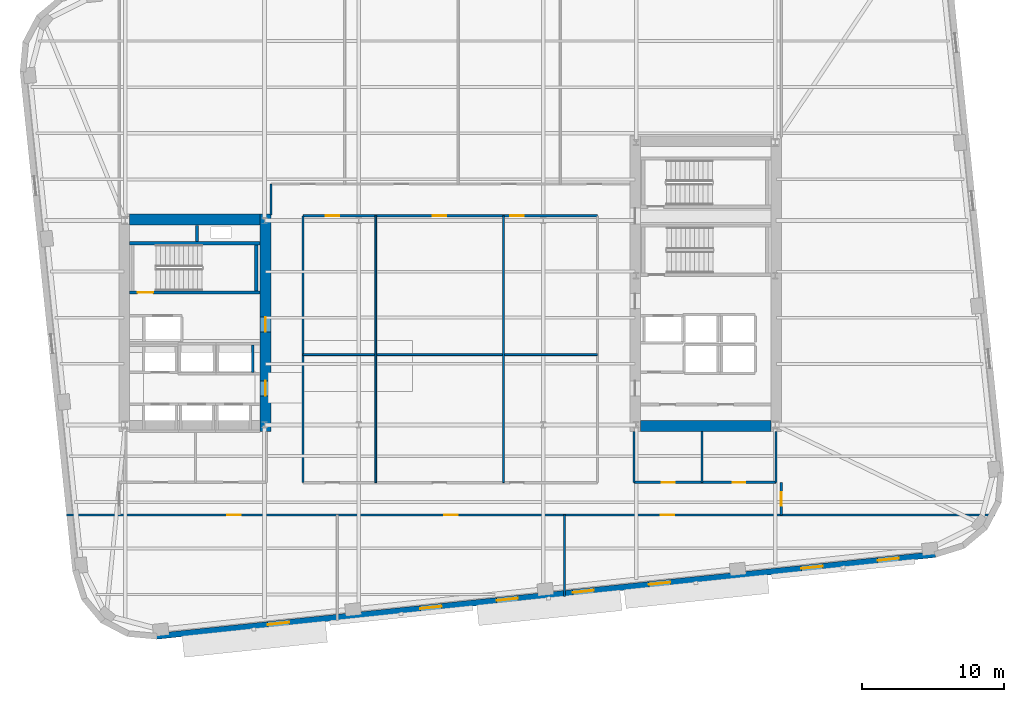
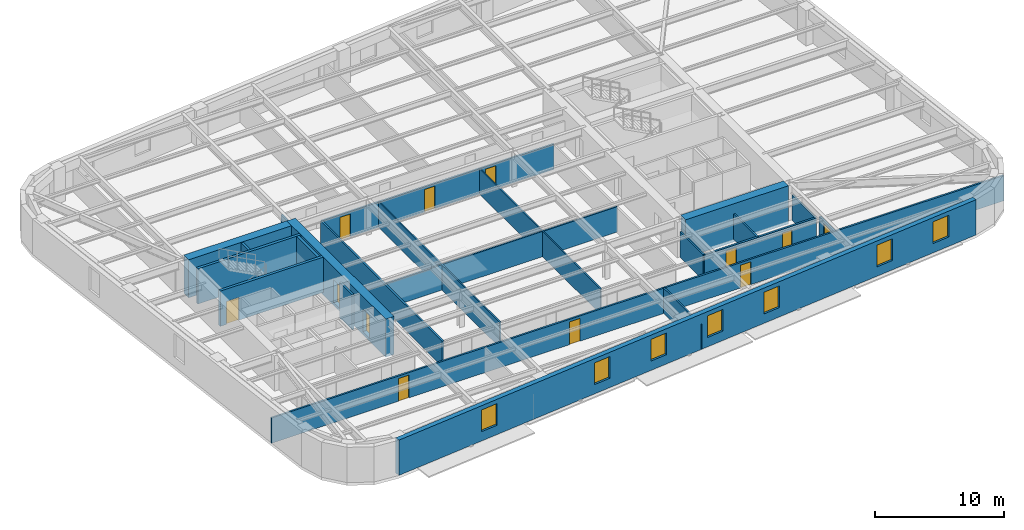
# One storey, part 5 of 12: 22 walls, 12 doors, 7 windows, 19 openings.
"""IFC4 building model written with IfcOpenShell, lengths in metres."""

from ifc_helpers import new_model, si_unit, direction, frame, frame_2d, origin, place, context, subcontext, project, spatial, rectangle, extrude, material, layer, layer_set, type_object, element, fill, save


model = new_model("IFC4")

# Units and contexts
model_context = context("Model", 3, precision=1e-05, world=origin(), true_north=direction((0.0, 1.0)))
body_context = subcontext(model_context, "Body", "Model", "MODEL_VIEW")
ifc_project = project(units=[si_unit("LENGTHUNIT", "METRE"), si_unit("AREAUNIT", "SQUARE_METRE"), si_unit("VOLUMEUNIT", "CUBIC_METRE"), si_unit("PLANEANGLEUNIT", "RADIAN"), si_unit("MASSUNIT", "GRAM", prefix="KILO")], contexts=[model_context])

# Site, building, storey
site_placement = place(None, origin())
site = spatial("IfcSite", under=ifc_project, at=site_placement, CompositionType="ELEMENT")
building_placement = place(site_placement, origin())
building = spatial("IfcBuilding", under=site, at=building_placement, Name="Kolvaren Arena Tower", CompositionType="ELEMENT")
storey_placement = place(building_placement, frame((0.0, 0.0, 149.5)))
storey = spatial("IfcBuildingStorey", under=building, at=storey_placement, Name="L35", CompositionType="ELEMENT", Elevation=149.5)

# Wall, openings, doors
ifc_material_1 = material(Name="Gypsum board acoustic assembly", Category="gypsum")
ifc_layer_1 = layer(ifc_material_1, 0.159912109375)
ifc_layer_set_1 = layer_set([ifc_layer_1], Name="Gypsum board acoustic assembly")
wall_type_1 = type_object("IfcWallType", Name="CORR-160", PredefinedType="PARTITIONING", material=ifc_layer_set_1)
wall_1_placement = place(storey_placement, frame((10.41552734375, 13.10009765625, 0.0), z_axis=(0.0, 0.0, 1.0), x_axis=(1.0, 0.0, 0.0)))
wall_1 = element("IfcWall", 1, at=wall_1_placement, inside=storey, type_object=wall_type_1, Name="Interior Partition Wall (L35)", PredefinedType="PARTITIONING", context=body_context, shape_type="SweptSolid", body=[
    extrude(rectangle(XDim=65.414794921875, YDim=0.159912109375, at=frame_2d((32.70751953125, 0.0))), origin(), (0.0, 0.0, 1.0), 2.389892578125),
])
opening_1_placement = place(wall_1_placement, frame((11.3095703125, 0.0, 0.0)))
opening_1 = element("IfcOpeningElement", 2, at=opening_1_placement, cuts=wall_1, Name="Opening D05", PredefinedType="OPENING", context=body_context, shape_type="SweptSolid", body=[
    extrude(rectangle(XDim=0.949951171875, YDim=2.14990234375, at=frame_2d((0.47509765625, 1.074951171875))), frame((0.0, 0.08984375, 0.0), z_axis=(0.0, -1.0, 0.0), x_axis=(1.0, 0.0, 0.0)), (0.0, 0.0, 1.0), 0.179931640625),
])
opening_2_placement = place(wall_1_placement, frame((26.609619140625, 0.0, 0.0)))
opening_2 = element("IfcOpeningElement", 3, at=opening_2_placement, cuts=wall_1, Name="Opening D05", PredefinedType="OPENING", context=body_context, shape_type="SweptSolid", body=[
    extrude(rectangle(XDim=0.949951171875, YDim=2.14990234375, at=frame_2d((0.47509765625, 1.074951171875))), frame((0.0, 0.08984375, 0.0), z_axis=(0.0, -1.0, 0.0), x_axis=(1.0, 0.0, 0.0)), (0.0, 0.0, 1.0), 0.179931640625),
])
opening_3_placement = place(wall_1_placement, frame((41.859619140625, 0.0, 0.0)))
opening_3 = element("IfcOpeningElement", 4, at=opening_3_placement, cuts=wall_1, Name="Opening D05", PredefinedType="OPENING", context=body_context, shape_type="SweptSolid", body=[
    extrude(rectangle(XDim=0.949951171875, YDim=2.14990234375, at=frame_2d((0.47509765625, 1.074951171875))), frame((0.0, 0.08984375, 0.0), z_axis=(0.0, -1.0, 0.0), x_axis=(1.0, 0.0, 0.0)), (0.0, 0.0, 1.0), 0.179931640625),
])
ifc_material_2 = material(Name="Solid-core oak acoustic office door", Category="wood")
door_type_1 = type_object("IfcDoorType", Name="DOOR-OF-095", OperationType="NOTDEFINED", PredefinedType="DOOR", material=ifc_material_2)
door_1_placement = place(opening_1_placement, origin())
door_1 = element("IfcDoor", 5, at=door_1_placement, inside=storey, type_object=door_type_1, Name="Collaborative Work Studio Door (L35)", OperationType="SINGLE_SWING_LEFT", OverallHeight=2.14990234375, OverallWidth=0.949951171875, PredefinedType="DOOR", context=body_context, shape_type="SweptSolid", body=[
    extrude(rectangle(XDim=0.949951171875, YDim=2.14990234375, at=frame_2d((0.47509765625, 1.074951171875))), frame((0.0, 0.02490234375, 0.0), z_axis=(0.0, -1.0, 0.0), x_axis=(1.0, 0.0, 0.0)), (0.0, 0.0, 1.0), 0.050048828125),
])
fill(opening_1, door_1)
door_2_placement = place(opening_2_placement, origin())
door_2 = element("IfcDoor", 6, at=door_2_placement, inside=storey, type_object=door_type_1, Name="Meeting Room Door (L35)", OperationType="SINGLE_SWING_RIGHT", OverallHeight=2.14990234375, OverallWidth=0.949951171875, PredefinedType="DOOR", context=body_context, shape_type="SweptSolid", body=[
    extrude(rectangle(XDim=0.949951171875, YDim=2.14990234375, at=frame_2d((0.47509765625, 1.074951171875))), frame((0.0, 0.02490234375, 0.0), z_axis=(0.0, -1.0, 0.0), x_axis=(1.0, 0.0, 0.0)), (0.0, 0.0, 1.0), 0.050048828125),
])
fill(opening_2, door_2)
door_3_placement = place(opening_3_placement, origin())
door_3 = element("IfcDoor", 7, at=door_3_placement, inside=storey, type_object=door_type_1, Name="Wellness Room Door (L35)", OperationType="SINGLE_SWING_LEFT", OverallHeight=2.14990234375, OverallWidth=0.949951171875, PredefinedType="DOOR", context=body_context, shape_type="SweptSolid", body=[
    extrude(rectangle(XDim=0.949951171875, YDim=2.14990234375, at=frame_2d((0.47509765625, 1.074951171875))), frame((0.0, 0.02490234375, 0.0), z_axis=(0.0, -1.0, 0.0), x_axis=(1.0, 0.0, 0.0)), (0.0, 0.0, 1.0), 0.050048828125),
])
fill(opening_3, door_3)

# Wall
wall_2_placement = place(storey_placement, frame((24.820068359375, 34.25, 0.0), z_axis=(0.0, 0.0, 1.0), x_axis=(0.0, 1.0, 0.0)))
element("IfcWall", 8, at=wall_2_placement, inside=storey, type_object=wall_type_1, Name="Interior Partition Wall (L35)", PredefinedType="PARTITIONING", context=body_context, shape_type="SweptSolid", body=[
    extrude(rectangle(XDim=2.169921875, YDim=0.159912109375, at=frame_2d((1.0849609375, 0.0))), origin(), (0.0, 0.0, 1.0), 2.389892578125),
])

# Wall, openings, doors
wall_3_placement = place(storey_placement, frame((27.080078125, 34.179931640625, 0.0), z_axis=(0.0, 0.0, 1.0), x_axis=(1.0, 0.0, 0.0)))
wall_3 = element("IfcWall", 9, at=wall_3_placement, inside=storey, type_object=wall_type_1, Name="Interior Partition Wall (L35)", PredefinedType="PARTITIONING", context=body_context, shape_type="SweptSolid", body=[
    extrude(rectangle(XDim=20.739990234375, YDim=0.159912109375, at=frame_2d((10.3701171875, 0.0))), origin(), (0.0, 0.0, 1.0), 2.389892578125),
])
opening_4_placement = place(wall_3_placement, frame((1.594970703125, 0.0, 0.0)))
opening_4 = element("IfcOpeningElement", 10, at=opening_4_placement, cuts=wall_3, Name="Opening D05", PredefinedType="OPENING", context=body_context, shape_type="SweptSolid", body=[
    extrude(rectangle(XDim=0.949951171875, YDim=2.14990234375, at=frame_2d((0.47509765625, 1.074951171875))), frame((0.0, 0.08984375, 0.0), z_axis=(0.0, -1.0, 0.0), x_axis=(1.0, 0.0, 0.0)), (0.0, 0.0, 1.0), 0.179931640625),
])
opening_5_placement = place(wall_3_placement, frame((9.14501953125, 0.0, 0.0)))
opening_5 = element("IfcOpeningElement", 11, at=opening_5_placement, cuts=wall_3, Name="Opening D05", PredefinedType="OPENING", context=body_context, shape_type="SweptSolid", body=[
    extrude(rectangle(XDim=0.949951171875, YDim=2.14990234375, at=frame_2d((0.47509765625, 1.074951171875))), frame((0.0, 0.08984375, 0.0), z_axis=(0.0, -1.0, 0.0), x_axis=(1.0, 0.0, 0.0)), (0.0, 0.0, 1.0), 0.179931640625),
])
opening_6_placement = place(wall_3_placement, frame((14.594970703125, 0.0, 0.0)))
opening_6 = element("IfcOpeningElement", 12, at=opening_6_placement, cuts=wall_3, Name="Opening D05", PredefinedType="OPENING", context=body_context, shape_type="SweptSolid", body=[
    extrude(rectangle(XDim=0.949951171875, YDim=2.14990234375, at=frame_2d((0.47509765625, 1.074951171875))), frame((0.0, 0.08984375, 0.0), z_axis=(0.0, -1.0, 0.0), x_axis=(1.0, 0.0, 0.0)), (0.0, 0.0, 1.0), 0.179931640625),
])
door_4_placement = place(opening_4_placement, origin())
door_4 = element("IfcDoor", 13, at=door_4_placement, inside=storey, type_object=door_type_1, Name="Meeting Room Door (L35)", OperationType="SINGLE_SWING_RIGHT", OverallHeight=2.14990234375, OverallWidth=0.949951171875, PredefinedType="DOOR", context=body_context, shape_type="SweptSolid", body=[
    extrude(rectangle(XDim=0.949951171875, YDim=2.14990234375, at=frame_2d((0.47509765625, 1.074951171875))), frame((0.0, 0.02490234375, 0.0), z_axis=(0.0, -1.0, 0.0), x_axis=(1.0, 0.0, 0.0)), (0.0, 0.0, 1.0), 0.050048828125),
])
fill(opening_4, door_4)
door_5_placement = place(opening_5_placement, origin())
door_5 = element("IfcDoor", 14, at=door_5_placement, inside=storey, type_object=door_type_1, Name="Tenant Reception Area Door (L35)", OperationType="SINGLE_SWING_RIGHT", OverallHeight=2.14990234375, OverallWidth=0.949951171875, PredefinedType="DOOR", context=body_context, shape_type="SweptSolid", body=[
    extrude(rectangle(XDim=0.949951171875, YDim=2.14990234375, at=frame_2d((0.47509765625, 1.074951171875))), frame((0.0, 0.02490234375, 0.0), z_axis=(0.0, -1.0, 0.0), x_axis=(1.0, 0.0, 0.0)), (0.0, 0.0, 1.0), 0.050048828125),
])
fill(opening_5, door_5)
door_6_placement = place(opening_6_placement, origin())
door_6 = element("IfcDoor", 15, at=door_6_placement, inside=storey, type_object=door_type_1, Name="Breakout Pantry and Kitchen Door (L35)", OperationType="SINGLE_SWING_RIGHT", OverallHeight=2.14990234375, OverallWidth=0.949951171875, PredefinedType="DOOR", context=body_context, shape_type="SweptSolid", body=[
    extrude(rectangle(XDim=0.949951171875, YDim=2.14990234375, at=frame_2d((0.47509765625, 1.074951171875))), frame((0.0, 0.02490234375, 0.0), z_axis=(0.0, -1.0, 0.0), x_axis=(1.0, 0.0, 0.0)), (0.0, 0.0, 1.0), 0.050048828125),
])
fill(opening_6, door_6)

# Wall
wall_4_placement = place(storey_placement, frame((27.080078125, 15.3798828125, 0.0), z_axis=(0.0, 0.0, 1.0), x_axis=(0.0, 1.0, 0.0)))
element("IfcWall", 16, at=wall_4_placement, inside=storey, type_object=wall_type_1, Name="Interior Partition Wall (L35)", PredefinedType="PARTITIONING", context=body_context, shape_type="SweptSolid", body=[
    extrude(rectangle(XDim=18.800048828125, YDim=0.159912109375, at=frame_2d((9.39990234375, 0.0))), origin(), (0.0, 0.0, 1.0), 2.389892578125),
])

# Wall, opening, door
wall_5_placement = place(storey_placement, frame((60.780029296875, 13.10009765625, 0.0), z_axis=(0.0, 0.0, 1.0), x_axis=(0.0, 1.0, 0.0)))
wall_5 = element("IfcWall", 17, at=wall_5_placement, inside=storey, type_object=wall_type_1, Name="Interior Partition Wall (L35)", PredefinedType="PARTITIONING", context=body_context, shape_type="SweptSolid", body=[
    extrude(rectangle(XDim=2.2998046875, YDim=0.159912109375, at=frame_2d((1.14990234375, 0.0))), origin(), (0.0, 0.0, 1.0), 2.389892578125),
])
opening_7_placement = place(wall_5_placement, frame((0.64990234375, 0.0, 0.0)))
opening_7 = element("IfcOpeningElement", 18, at=opening_7_placement, cuts=wall_5, Name="Opening D05", PredefinedType="OPENING", context=body_context, shape_type="SweptSolid", body=[
    extrude(rectangle(XDim=0.949951171875, YDim=2.14990234375, at=frame_2d((0.47509765625, 1.074951171875))), frame((0.0, 0.08984375, 0.0), z_axis=(0.0, -1.0, 0.0), x_axis=(1.0, 0.0, 0.0)), (0.0, 0.0, 1.0), 0.179931640625),
])
door_7_placement = place(opening_7_placement, origin())
door_7 = element("IfcDoor", 19, at=door_7_placement, inside=storey, type_object=door_type_1, Name="East Wing Studio Door (L35)", OperationType="SINGLE_SWING_RIGHT", OverallHeight=2.14990234375, OverallWidth=0.949951171875, PredefinedType="DOOR", context=body_context, shape_type="SweptSolid", body=[
    extrude(rectangle(XDim=0.949951171875, YDim=2.14990234375, at=frame_2d((0.47509765625, 1.074951171875))), frame((0.0, 0.02490234375, 0.0), z_axis=(0.0, -1.0, 0.0), x_axis=(1.0, 0.0, 0.0)), (0.0, 0.0, 1.0), 0.050048828125),
])
fill(opening_7, door_7)

# Wall, openings, doors
ifc_material_3 = material(Name="Concrete 70 MPa", Category="concrete")
ifc_layer_2 = layer(ifc_material_3, 0.75)
ifc_layer_set_2 = layer_set([ifc_layer_2], Name="Concrete 70 MPa")
wall_type_2 = type_object("IfcWallType", Name="CWALL-750", PredefinedType="SHEAR", material=ifc_layer_set_2)
wall_6_placement = place(storey_placement, frame((24.425048828125, 19.0, -0.27001953125), z_axis=(0.0, 0.0, 1.0), x_axis=(0.0, 1.0, 0.0)))
wall_6 = element("IfcWall", 20, at=wall_6_placement, inside=storey, type_object=wall_type_2, Name="Core Shear Wall WC-EAST (L35)", PredefinedType="SHEAR", context=body_context, shape_type="SweptSolid", body=[
    extrude(rectangle(XDim=15.300048828125, YDim=0.75, at=frame_2d((7.64990234375, 0.0))), origin(), (0.0, 0.0, 1.0), 3.60009765625),
])
opening_8_placement = place(wall_6_placement, frame((2.5, 0.0, 0.27001953125)))
opening_8 = element("IfcOpeningElement", 21, at=opening_8_placement, cuts=wall_6, Name="Opening D04", PredefinedType="OPENING", context=body_context, shape_type="SweptSolid", body=[
    extrude(rectangle(XDim=1.050048828125, YDim=2.14990234375, at=frame_2d((0.52490234375, 1.074951171875))), frame((0.0, 0.385009765625, 0.0), z_axis=(0.0, -1.0, 0.0), x_axis=(1.0, 0.0, 0.0)), (0.0, 0.0, 1.0), 0.77001953125),
])
opening_9_placement = place(wall_6_placement, frame((7.0, 0.0, 0.27001953125)))
opening_9 = element("IfcOpeningElement", 22, at=opening_9_placement, cuts=wall_6, Name="Opening D04", PredefinedType="OPENING", context=body_context, shape_type="SweptSolid", body=[
    extrude(rectangle(XDim=1.050048828125, YDim=2.14990234375, at=frame_2d((0.52490234375, 1.074951171875))), frame((0.0, 0.385009765625, 0.0), z_axis=(0.0, -1.0, 0.0), x_axis=(1.0, 0.0, 0.0)), (0.0, 0.0, 1.0), 0.77001953125),
])
ifc_material_4 = material(Name="Fire-rated steel lobby door", Category="steel")
door_type_2 = type_object("IfcDoorType", Name="DOOR-FF-105", OperationType="NOTDEFINED", PredefinedType="DOOR", material=ifc_material_4)
door_8_placement = place(opening_8_placement, origin())
door_8 = element("IfcDoor", 23, at=door_8_placement, inside=storey, type_object=door_type_2, Name="West Lift Lobby Fire Door (L35)", OperationType="SINGLE_SWING_LEFT", OverallHeight=2.14990234375, OverallWidth=1.050048828125, PredefinedType="DOOR", context=body_context, shape_type="SweptSolid", body=[
    extrude(rectangle(XDim=1.050048828125, YDim=2.14990234375, at=frame_2d((0.52490234375, 1.074951171875))), frame((0.0, 0.02490234375, 0.0), z_axis=(0.0, -1.0, 0.0), x_axis=(1.0, 0.0, 0.0)), (0.0, 0.0, 1.0), 0.050048828125),
])
fill(opening_8, door_8)
door_9_placement = place(opening_9_placement, origin())
door_9 = element("IfcDoor", 24, at=door_9_placement, inside=storey, type_object=door_type_2, Name="West Firefighter Vestibule Door (L35)", OperationType="SINGLE_SWING_RIGHT", OverallHeight=2.14990234375, OverallWidth=1.050048828125, PredefinedType="DOOR", context=body_context, shape_type="SweptSolid", body=[
    extrude(rectangle(XDim=1.050048828125, YDim=2.14990234375, at=frame_2d((0.52490234375, 1.074951171875))), frame((0.0, 0.02490234375, 0.0), z_axis=(0.0, -1.0, 0.0), x_axis=(1.0, 0.0, 0.0)), (0.0, 0.0, 1.0), 0.050048828125),
])
fill(opening_9, door_9)

# Walls
for number, where, z_axis, x_axis, name in (
    (25, (14.85009765625, 33.925048828125, -0.27001953125), (0.0, 0.0, 1.0), (1.0, 0.0, 0.0), "Core Shear Wall WC-NORTH (L35)"),
    (26, (50.85009765625, 19.375, -0.27001953125), (0.0, 0.0, 1.0), (1.0, 0.0, 0.0), "Core Shear Wall EC-SOUTH (L35)"),
):
    element("IfcWall", number, at=place(storey_placement, frame(where, z_axis=z_axis, x_axis=x_axis)), inside=storey, type_object=wall_type_2, Name=name, PredefinedType="SHEAR", context=body_context, shape_type="SweptSolid", body=[
        extrude(rectangle(XDim=9.199951171875, YDim=0.75, at=frame_2d((4.60009765625, 0.0))), origin(), (0.0, 0.0, 1.0), 3.60009765625),
    ])

# Wall, openings, windows
ifc_material_5 = material(Name="Precast concrete C50/60", Category="concrete")
ifc_layer_3 = layer(ifc_material_5, 0.419921875)
ifc_layer_set_3 = layer_set([ifc_layer_3], Name="Precast concrete C50/60")
wall_type_3 = type_object("IfcWallType", Name="EXT-PIER1", PredefinedType="SOLIDWALL", material=ifc_layer_set_3)
wall_7_placement = place(storey_placement, frame((71.641357421875, 10.3203125, 0.0), z_axis=(0.0, 0.0, 1.0), x_axis=(-0.994521775062, -0.104529607897, 0.0)))
wall_7 = element("IfcWall", 27, at=wall_7_placement, inside=storey, type_object=wall_type_3, Name="Exterior Precast Masonry-Frame Wall (L35)", PredefinedType="SOLIDWALL", context=body_context, shape_type="SweptSolid", body=[
    extrude(rectangle(XDim=55.199951171875, YDim=0.419921875, at=frame_2d((27.60009765625, 0.0))), origin(), (0.0, 0.0, 1.0), 3.330078125),
])
opening_10_placement = place(wall_7_placement, frame((2.60009765625, 0.0, 0.8798828125)))
opening_10 = element("IfcOpeningElement", 28, at=opening_10_placement, cuts=wall_7, Name="Opening W03", PredefinedType="OPENING", context=body_context, shape_type="SweptSolid", body=[
    extrude(rectangle(XDim=1.5, YDim=2.050048828125, at=frame_2d((0.75, 1.02490234375))), frame((0.0, 0.219970703125, 0.0), z_axis=(0.0, -1.0, 0.0), x_axis=(1.0, 0.0, 0.0)), (0.0, 0.0, 1.0), 0.43994140625),
])
opening_11_placement = place(wall_7_placement, frame((8.0, 0.0, 0.8798828125)))
opening_11 = element("IfcOpeningElement", 29, at=opening_11_placement, cuts=wall_7, Name="Opening W03", PredefinedType="OPENING", context=body_context, shape_type="SweptSolid", body=[
    extrude(rectangle(XDim=1.5, YDim=2.050048828125, at=frame_2d((0.75, 1.02490234375))), frame((0.0, 0.219970703125, 0.0), z_axis=(0.0, -1.0, 0.0), x_axis=(1.0, 0.0, 0.0)), (0.0, 0.0, 1.0), 0.43994140625),
])
opening_12_placement = place(wall_7_placement, frame((18.800048828125, 0.0, 0.8798828125)))
opening_12 = element("IfcOpeningElement", 30, at=opening_12_placement, cuts=wall_7, Name="Opening W03", PredefinedType="OPENING", context=body_context, shape_type="SweptSolid", body=[
    extrude(rectangle(XDim=1.5, YDim=2.050048828125, at=frame_2d((0.75, 1.02490234375))), frame((0.0, 0.219970703125, 0.0), z_axis=(0.0, -1.0, 0.0), x_axis=(1.0, 0.0, 0.0)), (0.0, 0.0, 1.0), 0.43994140625),
])
opening_13_placement = place(wall_7_placement, frame((24.199951171875, 0.0, 0.8798828125)))
opening_13 = element("IfcOpeningElement", 31, at=opening_13_placement, cuts=wall_7, Name="Opening W03", PredefinedType="OPENING", context=body_context, shape_type="SweptSolid", body=[
    extrude(rectangle(XDim=1.5, YDim=2.050048828125, at=frame_2d((0.75, 1.02490234375))), frame((0.0, 0.219970703125, 0.0), z_axis=(0.0, -1.0, 0.0), x_axis=(1.0, 0.0, 0.0)), (0.0, 0.0, 1.0), 0.43994140625),
])
opening_14_placement = place(wall_7_placement, frame((29.60009765625, 0.0, 0.8798828125)))
opening_14 = element("IfcOpeningElement", 32, at=opening_14_placement, cuts=wall_7, Name="Opening W03", PredefinedType="OPENING", context=body_context, shape_type="SweptSolid", body=[
    extrude(rectangle(XDim=1.5, YDim=2.050048828125, at=frame_2d((0.75, 1.02490234375))), frame((0.0, 0.219970703125, 0.0), z_axis=(0.0, -1.0, 0.0), x_axis=(1.0, 0.0, 0.0)), (0.0, 0.0, 1.0), 0.43994140625),
])
opening_15_placement = place(wall_7_placement, frame((35.0, 0.0, 0.8798828125)))
opening_15 = element("IfcOpeningElement", 33, at=opening_15_placement, cuts=wall_7, Name="Opening W03", PredefinedType="OPENING", context=body_context, shape_type="SweptSolid", body=[
    extrude(rectangle(XDim=1.5, YDim=2.050048828125, at=frame_2d((0.75, 1.02490234375))), frame((0.0, 0.219970703125, 0.0), z_axis=(0.0, -1.0, 0.0), x_axis=(1.0, 0.0, 0.0)), (0.0, 0.0, 1.0), 0.43994140625),
])
opening_16_placement = place(wall_7_placement, frame((45.800048828125, 0.0, 0.8798828125)))
opening_16 = element("IfcOpeningElement", 34, at=opening_16_placement, cuts=wall_7, Name="Opening W03", PredefinedType="OPENING", context=body_context, shape_type="SweptSolid", body=[
    extrude(rectangle(XDim=1.5, YDim=2.050048828125, at=frame_2d((0.75, 1.02490234375))), frame((0.0, 0.219970703125, 0.0), z_axis=(0.0, -1.0, 0.0), x_axis=(1.0, 0.0, 0.0)), (0.0, 0.0, 1.0), 0.43994140625),
])
ifc_material_6 = material(Name="Triple-glazed low-E aluminium window", Category="aluminium")
window_type = type_object("IfcWindowType", Name="WIN-OFF-C", PartitioningType="SINGLE_PANEL", PredefinedType="WINDOW", material=ifc_material_6)
window_1_placement = place(opening_10_placement, origin())
window_1 = element("IfcWindow", 35, at=window_1_placement, inside=storey, type_object=window_type, Name="Punched Precast-Pier Window (L35)", OverallHeight=2.050048828125, OverallWidth=1.5, PartitioningType="SINGLE_PANEL", PredefinedType="WINDOW", context=body_context, shape_type="SweptSolid", body=[
    extrude(rectangle(XDim=1.5, YDim=2.050048828125, at=frame_2d((0.75, 1.02490234375))), frame((0.0, 0.030029296875, 0.0), z_axis=(0.0, -1.0, 0.0), x_axis=(1.0, 0.0, 0.0)), (0.0, 0.0, 1.0), 0.06005859375),
])
fill(opening_10, window_1)
window_2_placement = place(opening_11_placement, origin())
window_2 = element("IfcWindow", 36, at=window_2_placement, inside=storey, type_object=window_type, Name="Punched Precast-Pier Window (L35)", OverallHeight=2.050048828125, OverallWidth=1.5, PartitioningType="SINGLE_PANEL", PredefinedType="WINDOW", context=body_context, shape_type="SweptSolid", body=[
    extrude(rectangle(XDim=1.5, YDim=2.050048828125, at=frame_2d((0.75, 1.02490234375))), frame((0.0, 0.030029296875, 0.0), z_axis=(0.0, -1.0, 0.0), x_axis=(1.0, 0.0, 0.0)), (0.0, 0.0, 1.0), 0.06005859375),
])
fill(opening_11, window_2)
window_3_placement = place(opening_12_placement, origin())
window_3 = element("IfcWindow", 37, at=window_3_placement, inside=storey, type_object=window_type, Name="Punched Precast-Pier Window (L35)", OverallHeight=2.050048828125, OverallWidth=1.5, PartitioningType="SINGLE_PANEL", PredefinedType="WINDOW", context=body_context, shape_type="SweptSolid", body=[
    extrude(rectangle(XDim=1.5, YDim=2.050048828125, at=frame_2d((0.75, 1.02490234375))), frame((0.0, 0.030029296875, 0.0), z_axis=(0.0, -1.0, 0.0), x_axis=(1.0, 0.0, 0.0)), (0.0, 0.0, 1.0), 0.06005859375),
])
fill(opening_12, window_3)
window_4_placement = place(opening_13_placement, origin())
window_4 = element("IfcWindow", 38, at=window_4_placement, inside=storey, type_object=window_type, Name="Punched Precast-Pier Window (L35)", OverallHeight=2.050048828125, OverallWidth=1.5, PartitioningType="SINGLE_PANEL", PredefinedType="WINDOW", context=body_context, shape_type="SweptSolid", body=[
    extrude(rectangle(XDim=1.5, YDim=2.050048828125, at=frame_2d((0.75, 1.02490234375))), frame((0.0, 0.030029296875, 0.0), z_axis=(0.0, -1.0, 0.0), x_axis=(1.0, 0.0, 0.0)), (0.0, 0.0, 1.0), 0.06005859375),
])
fill(opening_13, window_4)
window_5_placement = place(opening_14_placement, origin())
window_5 = element("IfcWindow", 39, at=window_5_placement, inside=storey, type_object=window_type, Name="Punched Precast-Pier Window (L35)", OverallHeight=2.050048828125, OverallWidth=1.5, PartitioningType="SINGLE_PANEL", PredefinedType="WINDOW", context=body_context, shape_type="SweptSolid", body=[
    extrude(rectangle(XDim=1.5, YDim=2.050048828125, at=frame_2d((0.75, 1.02490234375))), frame((0.0, 0.030029296875, 0.0), z_axis=(0.0, -1.0, 0.0), x_axis=(1.0, 0.0, 0.0)), (0.0, 0.0, 1.0), 0.06005859375),
])
fill(opening_14, window_5)
window_6_placement = place(opening_15_placement, origin())
window_6 = element("IfcWindow", 40, at=window_6_placement, inside=storey, type_object=window_type, Name="Punched Precast-Pier Window (L35)", OverallHeight=2.050048828125, OverallWidth=1.5, PartitioningType="SINGLE_PANEL", PredefinedType="WINDOW", context=body_context, shape_type="SweptSolid", body=[
    extrude(rectangle(XDim=1.5, YDim=2.050048828125, at=frame_2d((0.75, 1.02490234375))), frame((0.0, 0.030029296875, 0.0), z_axis=(0.0, -1.0, 0.0), x_axis=(1.0, 0.0, 0.0)), (0.0, 0.0, 1.0), 0.06005859375),
])
fill(opening_15, window_6)
window_7_placement = place(opening_16_placement, origin())
window_7 = element("IfcWindow", 41, at=window_7_placement, inside=storey, type_object=window_type, Name="Punched Precast-Pier Window (L35)", OverallHeight=2.050048828125, OverallWidth=1.5, PartitioningType="SINGLE_PANEL", PredefinedType="WINDOW", context=body_context, shape_type="SweptSolid", body=[
    extrude(rectangle(XDim=1.5, YDim=2.050048828125, at=frame_2d((0.75, 1.02490234375))), frame((0.0, 0.030029296875, 0.0), z_axis=(0.0, -1.0, 0.0), x_axis=(1.0, 0.0, 0.0)), (0.0, 0.0, 1.0), 0.06005859375),
])
fill(opening_16, window_7)

# Walls
ifc_material_7 = material(Name="Gypsum board partition assembly", Category="gypsum")
ifc_layer_4 = layer(ifc_material_7, 0.114990234375)
ifc_layer_set_4 = layer_set([ifc_layer_4], Name="Gypsum board partition assembly")
wall_type_4 = type_object("IfcWallType", Name="PART-115", PredefinedType="PARTITIONING", material=ifc_layer_set_4)
for number, where, z_axis, x_axis, name in (
    (42, (32.199951171875, 15.3798828125, 0.0), (0.0, 0.0, 1.0), (0.0, 1.0, 0.0), "Interior Partition Wall (L35)"),
    (43, (41.199951171875, 15.3798828125, 0.0), (0.0, 0.0, 1.0), (0.0, 1.0, 0.0), "Interior Partition Wall (L35)"),
):
    element("IfcWall", number, at=place(storey_placement, frame(where, z_axis=z_axis, x_axis=x_axis)), inside=storey, type_object=wall_type_4, Name=name, PredefinedType="PARTITIONING", context=body_context, shape_type="SweptSolid", body=[
        extrude(rectangle(XDim=18.800048828125, YDim=0.114990234375, at=frame_2d((9.39990234375, 0.0))), origin(), (0.0, 0.0, 1.0), 2.389892578125),
    ])
ifc_layer_5 = layer(ifc_material_7, 0.135009765625)
ifc_layer_set_5 = layer_set([ifc_layer_5], Name="Gypsum board partition assembly")
wall_type_5 = type_object("IfcWallType", Name="PART-135", PredefinedType="PARTITIONING", material=ifc_layer_set_5)
wall_8_placement = place(storey_placement, frame((45.5, 7.361572265625, 0.0), z_axis=(0.0, 0.0, 1.0), x_axis=(0.0, 1.0, 0.0)))
element("IfcWall", 44, at=wall_8_placement, inside=storey, type_object=wall_type_5, Name="Interior Partition Wall (L35)", PredefinedType="PARTITIONING", context=body_context, shape_type="SweptSolid", body=[
    extrude(rectangle(XDim=5.738525390625, YDim=0.135009765625, at=frame_2d((2.869140625, 0.0))), origin(), (0.0, 0.0, 1.0), 2.389892578125),
])
wall_9_placement = place(storey_placement, frame((27.080078125, 24.39990234375, 0.0), z_axis=(0.0, 0.0, 1.0), x_axis=(1.0, 0.0, 0.0)))
element("IfcWall", 45, at=wall_9_placement, inside=storey, type_object=wall_type_5, Name="Interior Partition Wall (L35)", PredefinedType="PARTITIONING", context=body_context, shape_type="SweptSolid", body=[
    extrude(rectangle(XDim=20.739990234375, YDim=0.135009765625, at=frame_2d((10.3701171875, 0.0))), origin(), (0.0, 0.0, 1.0), 2.389892578125),
])

# Wall, opening, door
ifc_material_8 = material(Name="Concrete 45 MPa", Category="concrete")
ifc_layer_6 = layer(ifc_material_8, 0.25)
ifc_layer_set_6 = layer_set([ifc_layer_6], Name="Concrete 45 MPa")
wall_type_6 = type_object("IfcWallType", Name="SHAFT-250", PredefinedType="SOLIDWALL", material=ifc_layer_set_6)
wall_10_placement = place(storey_placement, frame((24.050048828125, 28.780029296875, 0.0), z_axis=(0.0, 0.0, 1.0), x_axis=(-1.0, 0.0, 0.0)))
wall_10 = element("IfcWall", 46, at=wall_10_placement, inside=storey, type_object=wall_type_6, Name="Core Shaft Wall (L35)", PredefinedType="SOLIDWALL", context=body_context, shape_type="SweptSolid", body=[
    extrude(rectangle(XDim=9.199951171875, YDim=0.239990234375, at=frame_2d((4.60009765625, 0.0))), origin(), (0.0, 0.0, 1.0), 3.330078125),
])
opening_17_placement = place(wall_10_placement, frame((7.530029296875, 0.0, 0.0)))
opening_17 = element("IfcOpeningElement", 47, at=opening_17_placement, cuts=wall_10, Name="Opening D03", PredefinedType="OPENING", context=body_context, shape_type="SweptSolid", body=[
    extrude(rectangle(XDim=1.10009765625, YDim=2.14990234375, at=frame_2d((0.550048828125, 1.074951171875))), frame((0.0, 0.1298828125, 0.0), z_axis=(0.0, -1.0, 0.0), x_axis=(1.0, 0.0, 0.0)), (0.0, 0.0, 1.0), 0.260009765625),
])
ifc_material_9 = material(Name="Fire-rated steel exit stair door", Category="steel")
door_type_3 = type_object("IfcDoorType", Name="DOOR-ST-110", OperationType="NOTDEFINED", PredefinedType="DOOR", material=ifc_material_9)
door_10_placement = place(opening_17_placement, origin())
door_10 = element("IfcDoor", 48, at=door_10_placement, inside=storey, type_object=door_type_3, Name="Stair ST-W1 Fire Door (L35)", OperationType="SINGLE_SWING_RIGHT", OverallHeight=2.14990234375, OverallWidth=1.10009765625, PredefinedType="DOOR", context=body_context, shape_type="SweptSolid", body=[
    extrude(rectangle(XDim=1.10009765625, YDim=2.14990234375, at=frame_2d((0.550048828125, 1.074951171875))), frame((0.0, 0.02490234375, 0.0), z_axis=(0.0, -1.0, 0.0), x_axis=(1.0, 0.0, 0.0)), (0.0, 0.0, 1.0), 0.050048828125),
])
fill(opening_17, door_10)

# Walls
wall_11_placement = place(storey_placement, frame((14.85009765625, 32.25, 0.0), z_axis=(0.0, 0.0, 1.0), x_axis=(1.0, 0.0, 0.0)))
element("IfcWall", 49, at=wall_11_placement, inside=storey, type_object=wall_type_6, Name="Core Shaft Wall (L35)", PredefinedType="SOLIDWALL", context=body_context, shape_type="SweptSolid", body=[
    extrude(rectangle(XDim=9.199951171875, YDim=0.239990234375, at=frame_2d((4.60009765625, 0.0))), origin(), (0.0, 0.0, 1.0), 3.330078125),
])
wall_12_placement = place(storey_placement, frame((23.780029296875, 28.89990234375, 0.0), z_axis=(0.0, 0.0, 1.0), x_axis=(0.0, 1.0, 0.0)))
element("IfcWall", 50, at=wall_12_placement, inside=storey, type_object=wall_type_6, Name="Core Shaft Wall (L35)", PredefinedType="SOLIDWALL", context=body_context, shape_type="SweptSolid", body=[
    extrude(rectangle(XDim=3.22998046875, YDim=0.239990234375, at=frame_2d((1.614990234375, 0.0))), origin(), (0.0, 0.0, 1.0), 3.330078125),
])
wall_13_placement = place(storey_placement, frame((19.60009765625, 32.3701171875, 0.0), z_axis=(0.0, 0.0, 1.0), x_axis=(0.0, 1.0, 0.0)))
element("IfcWall", 51, at=wall_13_placement, inside=storey, type_object=wall_type_6, Name="Core Shaft Wall (L35)", PredefinedType="SOLIDWALL", context=body_context, shape_type="SweptSolid", body=[
    extrude(rectangle(XDim=1.1298828125, YDim=0.199951171875, at=frame_2d((0.56494140625, 0.0))), origin(), (0.0, 0.0, 1.0), 3.330078125),
])
wall_14_placement = place(storey_placement, frame((23.530029296875, 23.135009765625, 0.0), z_axis=(0.0, 0.0, 1.0), x_axis=(0.0, 1.0, 0.0)))
element("IfcWall", 52, at=wall_14_placement, inside=storey, type_object=wall_type_6, Name="Core Shaft Wall (L35)", PredefinedType="SOLIDWALL", context=body_context, shape_type="SweptSolid", body=[
    extrude(rectangle(XDim=1.929931640625, YDim=0.179931640625, at=frame_2d((0.96484375, 0.0))), origin(), (0.0, 0.0, 1.0), 3.330078125),
])

# Wall, openings, doors
wall_15_placement = place(storey_placement, frame((50.39990234375, 15.39990234375, 0.0), z_axis=(0.0, 0.0, 1.0), x_axis=(1.0, 0.0, 0.0)))
wall_15 = element("IfcWall", 53, at=wall_15_placement, inside=storey, type_object=wall_type_6, Name="Interior Partition Wall (L35)", PredefinedType="SOLIDWALL", context=body_context, shape_type="SweptSolid", body=[
    extrude(rectangle(XDim=10.0, YDim=0.179931640625, at=frame_2d((5.0, 0.0))), origin(), (0.0, 0.0, 1.0), 2.389892578125),
])
opening_18_placement = place(wall_15_placement, frame((1.93994140625, 0.0, 0.0)))
opening_18 = element("IfcOpeningElement", 54, at=opening_18_placement, cuts=wall_15, Name="Opening D07", PredefinedType="OPENING", context=body_context, shape_type="SweptSolid", body=[
    extrude(rectangle(XDim=0.919921875, YDim=2.10009765625, at=frame_2d((0.4599609375, 1.050048828125))), frame((0.0, 0.099853515625, 0.0), z_axis=(0.0, -1.0, 0.0), x_axis=(1.0, 0.0, 0.0)), (0.0, 0.0, 1.0), 0.199951171875),
])
opening_19_placement = place(wall_15_placement, frame((6.969970703125, 0.0, 0.0)))
opening_19 = element("IfcOpeningElement", 55, at=opening_19_placement, cuts=wall_15, Name="Opening D09", PredefinedType="OPENING", context=body_context, shape_type="SweptSolid", body=[
    extrude(rectangle(XDim=0.860107421875, YDim=2.050048828125, at=frame_2d((0.43017578125, 1.02490234375))), frame((0.0, 0.099853515625, 0.0), z_axis=(0.0, -1.0, 0.0), x_axis=(1.0, 0.0, 0.0)), (0.0, 0.0, 1.0), 0.199951171875),
])
ifc_material_10 = material(Name="Fire-rated steel riser access door", Category="steel")
door_type_4 = type_object("IfcDoorType", Name="DOOR-RS-086", OperationType="NOTDEFINED", PredefinedType="DOOR", material=ifc_material_10)
door_11_placement = place(opening_19_placement, origin())
door_11 = element("IfcDoor", 56, at=door_11_placement, inside=storey, type_object=door_type_4, Name="Electrical Riser Closet Door (L35)", OperationType="SINGLE_SWING_RIGHT", OverallHeight=2.050048828125, OverallWidth=0.860107421875, PredefinedType="DOOR", context=body_context, shape_type="SweptSolid", body=[
    extrude(rectangle(XDim=0.860107421875, YDim=2.050048828125, at=frame_2d((0.43017578125, 1.02490234375))), frame((0.0, 0.02490234375, 0.0), z_axis=(0.0, -1.0, 0.0), x_axis=(1.0, 0.0, 0.0)), (0.0, 0.0, 1.0), 0.050048828125),
])
fill(opening_19, door_11)
ifc_material_11 = material(Name="Laminate universal washroom door", Category="wood")
door_type_5 = type_object("IfcDoorType", Name="DOOR-WC-092", OperationType="NOTDEFINED", PredefinedType="DOOR", material=ifc_material_11)
door_12_placement = place(opening_18_placement, origin())
door_12 = element("IfcDoor", 57, at=door_12_placement, inside=storey, type_object=door_type_5, Name="Cleaner and Janitor Store Door (L35)", OperationType="SINGLE_SWING_LEFT", OverallHeight=2.10009765625, OverallWidth=0.919921875, PredefinedType="DOOR", context=body_context, shape_type="SweptSolid", body=[
    extrude(rectangle(XDim=0.919921875, YDim=2.10009765625, at=frame_2d((0.4599609375, 1.050048828125))), frame((0.0, 0.02490234375, 0.0), z_axis=(0.0, -1.0, 0.0), x_axis=(1.0, 0.0, 0.0)), (0.0, 0.0, 1.0), 0.050048828125),
])
fill(opening_18, door_12)

# Walls
ifc_material_12 = material(Name="Moisture-resistant gypsum assembly", Category="gypsum")
ifc_layer_7 = layer(ifc_material_12, 0.14990234375)
ifc_layer_set_7 = layer_set([ifc_layer_7], Name="Moisture-resistant gypsum assembly")
wall_type_7 = type_object("IfcWallType", Name="WETW-150", PredefinedType="PARTITIONING", material=ifc_layer_set_7)
for number, where, z_axis, x_axis, name in (
    (58, (55.199951171875, 15.39990234375, 0.0), (0.0, 0.0, 1.0), (0.0, 1.0, 0.0), "Interior Partition Wall (L35)"),
    (59, (50.39990234375, 15.39990234375, 0.0), (0.0, 0.0, 1.0), (0.0, 1.0, 0.0), "Interior Partition Wall (L35)"),
    (60, (60.39990234375, 15.39990234375, 0.0), (0.0, 0.0, 1.0), (0.0, 1.0, 0.0), "Interior Partition Wall (L35)"),
):
    element("IfcWall", number, at=place(storey_placement, frame(where, z_axis=z_axis, x_axis=x_axis)), inside=storey, type_object=wall_type_7, Name=name, PredefinedType="PARTITIONING", context=body_context, shape_type="SweptSolid", body=[
        extrude(rectangle(XDim=3.580078125, YDim=0.14990234375, at=frame_2d((1.7900390625, 0.0))), origin(), (0.0, 0.0, 1.0), 2.389892578125),
    ])

save(model, "model.ifc")
